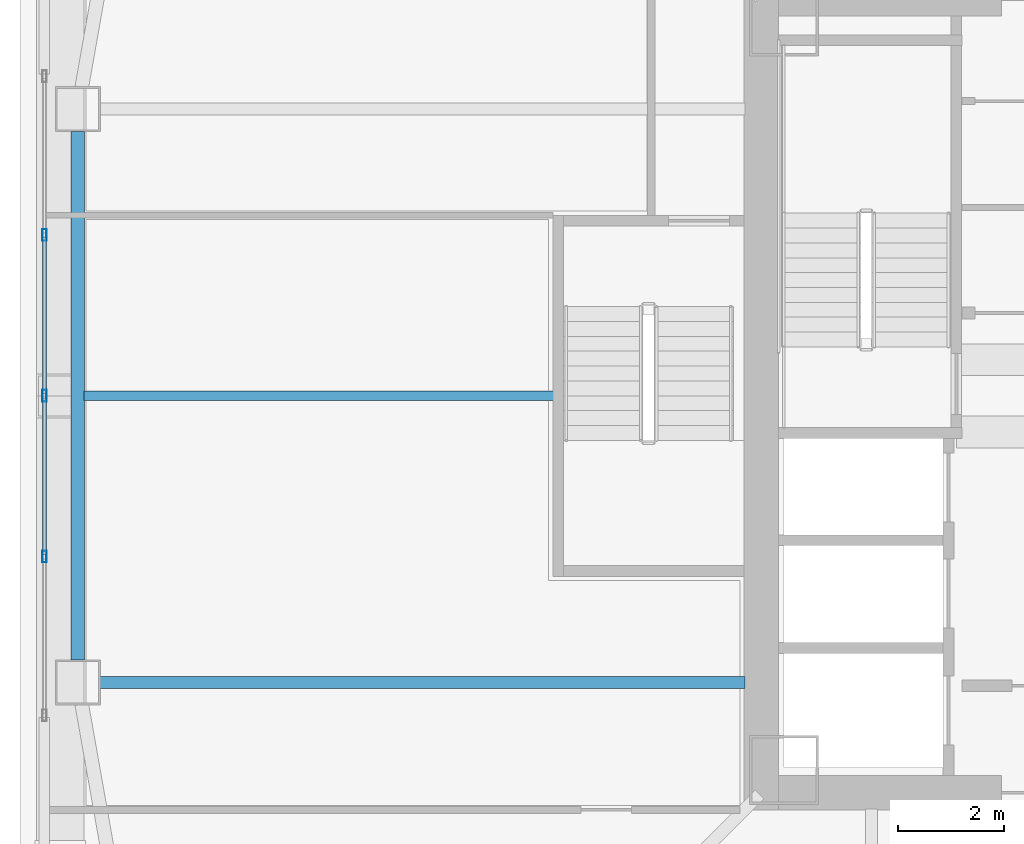
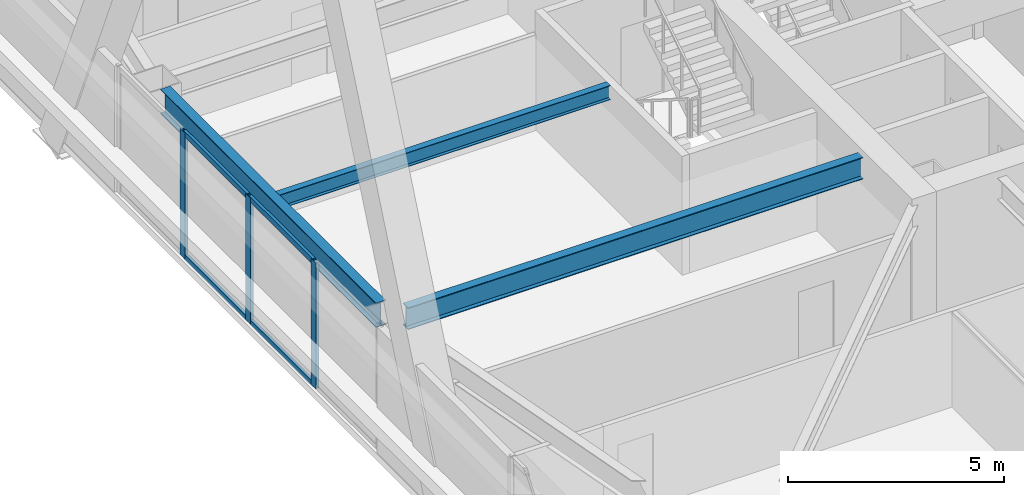
# One storey, part 10 of 54: 7 members, 3 beams, 1 element without a shape of its own.
"""IFC4 building model written with IfcOpenShell, lengths in metres."""

from ifc_helpers import new_model, si_unit, direction, frame, origin, origin_2d, place, context, subcontext, project, spatial, hollow_rectangle, i_section, extrude, material, material_profile, profile_set, type_object, element, aggregate, save


model = new_model("IFC4")

# Units and contexts
model_context = context("Model", 3, precision=1e-05, world=origin(), true_north=direction((0.0, 1.0)))
body_context = subcontext(model_context, "Body", "Model", "MODEL_VIEW")
ifc_project = project(units=[si_unit("LENGTHUNIT", "METRE"), si_unit("AREAUNIT", "SQUARE_METRE"), si_unit("VOLUMEUNIT", "CUBIC_METRE"), si_unit("PLANEANGLEUNIT", "RADIAN"), si_unit("MASSUNIT", "GRAM", prefix="KILO")], contexts=[model_context])

# Site, building, storey
site_placement = place(None, origin())
site = spatial("IfcSite", under=ifc_project, at=site_placement, CompositionType="ELEMENT")
building_placement = place(site_placement, origin())
building = spatial("IfcBuilding", under=site, at=building_placement, Name="Tashvorn Skyway Center", CompositionType="ELEMENT")
storey_placement = place(building_placement, frame((0.0, 0.0, 88.5)))
storey = spatial("IfcBuildingStorey", under=building, at=storey_placement, Name="L23", CompositionType="ELEMENT", Elevation=88.5)

# Beams
ifc_material_1 = material(Name="Steel ASTM A992 Grade 50", Category="steel")
ifc_material_profile_1 = material_profile(ifc_material_1, i_section(OverallWidth=0.22998046875, OverallDepth=0.616943359375, WebThickness=0.01318359375, FlangeThickness=0.022216796875, at=origin_2d()), Name="W24X94")
ifc_profile_set_1 = profile_set([ifc_material_profile_1], Name="Steel ASTM A992 Grade 50")
beam_type_1 = type_object("IfcBeamType", Name="BM-BEAM-W24X94", PredefinedType="BEAM", material=ifc_profile_set_1)
beam_1_placement = place(storey_placement, frame((22.070068359375, 26.60009765625, 3.04150390625), z_axis=(1.0, 0.0, 0.0), x_axis=(0.0, 1.0, 0.0)))
element("IfcBeam", 1, at=beam_1_placement, inside=storey, type_object=beam_type_1, Name="Tower 1 L23 Primary Floor Girder FC-W2", PredefinedType="BEAM", context=body_context, shape_type="SweptSolid", body=[
    extrude(i_section(OverallWidth=0.22998046875, OverallDepth=0.616943359375, WebThickness=0.01318359375, FlangeThickness=0.022216796875, at=origin_2d()), origin(), (0.0, 0.0, 1.0), 12.14990234375),
])
ifc_material_profile_2 = material_profile(ifc_material_1, i_section(OverallWidth=0.177978515625, OverallDepth=0.406005859375, WebThickness=0.0078125, FlangeThickness=0.0126953125, at=origin_2d()), Name="W16X40")
ifc_profile_set_2 = profile_set([ifc_material_profile_2], Name="Steel ASTM A992 Grade 50")
beam_type_2 = type_object("IfcBeamType", Name="BM-JOIST-W16X40", PredefinedType="JOIST", material=ifc_profile_set_2)
beam_2_placement = place(storey_placement, frame((30.610107421875, 32.0, 3.14697265625), z_axis=(-1.0, 0.0, 0.0), x_axis=(0.0, -1.0, 0.0)))
element("IfcBeam", 2, at=beam_2_placement, inside=storey, type_object=beam_type_2, Name="Tower 1 L23 Secondary Composite Joist JW", PredefinedType="JOIST", context=body_context, shape_type="SweptSolid", body=[
    extrude(i_section(OverallWidth=0.177978515625, OverallDepth=0.406005859375, WebThickness=0.0078125, FlangeThickness=0.0126953125, at=origin_2d()), origin(), (0.0, 0.0, 1.0), 8.840087890625),
])
ifc_material_profile_3 = material_profile(ifc_material_1, i_section(OverallWidth=0.256103515625, OverallDepth=0.693115234375, WebThickness=0.014404296875, FlangeThickness=0.023681640625, at=origin_2d()), Name="W27X114")
ifc_profile_set_3 = profile_set([ifc_material_profile_3], Name="Steel ASTM A992 Grade 50")
beam_type_3 = type_object("IfcBeamType", Name="BM-SPANDREL-W27X114", PredefinedType="SPANDREL", material=ifc_profile_set_3)
beam_3_placement = place(storey_placement, frame((21.64990234375, 36.97998046875, 3.00341796875), z_axis=(0.0, -1.0, 0.0), x_axis=(1.0, 0.0, 0.0)))
element("IfcBeam", 3, at=beam_3_placement, inside=storey, type_object=beam_type_3, Name="Tower 1 L23 Spandrel Beam 11", PredefinedType="SPANDREL", context=body_context, shape_type="SweptSolid", body=[
    extrude(i_section(OverallWidth=0.256103515625, OverallDepth=0.693115234375, WebThickness=0.014404296875, FlangeThickness=0.023681640625, at=origin_2d()), origin(), (0.0, 0.0, 1.0), 9.9599609375),
])

# Curtain wall, members
ifc_material_2 = material(Name="Thermally broken bronze-anodized aluminium 6063-T6", Category="aluminium")
curtain_wall_type = type_object("IfcCurtainWallType", Name="CW-CW-Z2", PredefinedType="NOTDEFINED", material=ifc_material_2)
curtain_wall_placement = place(storey_placement, origin())
curtain_wall = element("IfcCurtainWall", 4, at=curtain_wall_placement, inside=storey, type_object=curtain_wall_type, Name="Tower 1 L23 West Unitised Curtain Wall Glazing Group 2", PredefinedType="NOTDEFINED")
ifc_material_profile_4 = material_profile(ifc_material_2, hollow_rectangle(XDim=0.080078125, YDim=0.219970703125, WallThickness=0.0048828125, at=origin_2d()), Name="ALU-MULL-80x220")
ifc_profile_set_4 = profile_set([ifc_material_profile_4], Name="Thermally broken bronze-anodized aluminium 6063-T6")
member_type_1 = type_object("IfcMemberType", Name="CWM-CW-Z2", PredefinedType="MULLION", material=ifc_profile_set_4)
member_1_placement = place(storey_placement, frame((21.02001953125, 28.969970703125, 0.0), z_axis=(0.0, 0.0, 1.0), x_axis=(-1.0, 0.0, 0.0)))
member_1 = element("IfcMember", 5, at=member_1_placement, type_object=member_type_1, Name="CW-Z2 mullion 2", PredefinedType="MULLION", context=body_context, shape_type="SweptSolid", body=[
    extrude(hollow_rectangle(XDim=0.080078125, YDim=0.219970703125, WallThickness=0.0048828125, at=origin_2d()), origin(), (0.0, 0.0, 1.0), 3.550048828125),
])
member_2_placement = place(storey_placement, frame((21.02001953125, 32.0, 0.0), z_axis=(0.0, 0.0, 1.0), x_axis=(-1.0, 0.0, 0.0)))
member_2 = element("IfcMember", 6, at=member_2_placement, type_object=member_type_1, Name="CW-Z2 mullion 3", PredefinedType="MULLION", context=body_context, shape_type="SweptSolid", body=[
    extrude(hollow_rectangle(XDim=0.080078125, YDim=0.219970703125, WallThickness=0.0048828125, at=origin_2d()), origin(), (0.0, 0.0, 1.0), 3.550048828125),
])
member_3_placement = place(storey_placement, frame((21.02001953125, 35.030029296875, 0.0), z_axis=(0.0, 0.0, 1.0), x_axis=(-1.0, 0.0, 0.0)))
member_3 = element("IfcMember", 7, at=member_3_placement, type_object=member_type_1, Name="CW-Z2 mullion 4", PredefinedType="MULLION", context=body_context, shape_type="SweptSolid", body=[
    extrude(hollow_rectangle(XDim=0.080078125, YDim=0.219970703125, WallThickness=0.0048828125, at=origin_2d()), origin(), (0.0, 0.0, 1.0), 3.550048828125),
])
ifc_material_profile_5 = material_profile(ifc_material_2, hollow_rectangle(XDim=0.080078125, YDim=0.14990234375, WallThickness=0.00439453125, at=origin_2d()), Name="ALU-TRAN-80x150")
ifc_profile_set_5 = profile_set([ifc_material_profile_5], Name="Thermally broken bronze-anodized aluminium 6063-T6")
member_type_2 = type_object("IfcMemberType", Name="CWT-CW-Z2", PredefinedType="USERDEFINED", material=ifc_profile_set_5)
member_4_placement = place(storey_placement, frame((21.02001953125, 29.010009765625, 0.0400390625), z_axis=(0.0, 1.0, 0.0), x_axis=(-1.0, 0.0, 0.0)))
member_4 = element("IfcMember", 8, at=member_4_placement, type_object=member_type_2, Name="CW-Z2 transom 2.1", ObjectType="TRANSOM", PredefinedType="USERDEFINED", context=body_context, shape_type="SweptSolid", body=[
    extrude(hollow_rectangle(XDim=0.080078125, YDim=0.14990234375, WallThickness=0.00439453125, at=origin_2d()), origin(), (0.0, 0.0, 1.0), 2.949951171875),
])
member_5_placement = place(storey_placement, frame((21.02001953125, 29.010009765625, 3.510009765625), z_axis=(0.0, 1.0, 0.0), x_axis=(-1.0, 0.0, 0.0)))
member_5 = element("IfcMember", 9, at=member_5_placement, type_object=member_type_2, Name="CW-Z2 transom 2.2", ObjectType="TRANSOM", PredefinedType="USERDEFINED", context=body_context, shape_type="SweptSolid", body=[
    extrude(hollow_rectangle(XDim=0.080078125, YDim=0.14990234375, WallThickness=0.00439453125, at=origin_2d()), origin(), (0.0, 0.0, 1.0), 2.949951171875),
])
member_6_placement = place(storey_placement, frame((21.02001953125, 32.0400390625, 0.0400390625), z_axis=(0.0, 1.0, 0.0), x_axis=(-1.0, 0.0, 0.0)))
member_6 = element("IfcMember", 10, at=member_6_placement, type_object=member_type_2, Name="CW-Z2 transom 3.1", ObjectType="TRANSOM", PredefinedType="USERDEFINED", context=body_context, shape_type="SweptSolid", body=[
    extrude(hollow_rectangle(XDim=0.080078125, YDim=0.14990234375, WallThickness=0.00439453125, at=origin_2d()), origin(), (0.0, 0.0, 1.0), 2.949951171875),
])
member_7_placement = place(storey_placement, frame((21.02001953125, 32.0400390625, 3.510009765625), z_axis=(0.0, 1.0, 0.0), x_axis=(-1.0, 0.0, 0.0)))
member_7 = element("IfcMember", 11, at=member_7_placement, type_object=member_type_2, Name="CW-Z2 transom 3.2", ObjectType="TRANSOM", PredefinedType="USERDEFINED", context=body_context, shape_type="SweptSolid", body=[
    extrude(hollow_rectangle(XDim=0.080078125, YDim=0.14990234375, WallThickness=0.00439453125, at=origin_2d()), origin(), (0.0, 0.0, 1.0), 2.949951171875),
])
aggregate(curtain_wall, [member_1, member_2, member_3, member_4, member_5, member_6, member_7])

save(model, "model.ifc")
